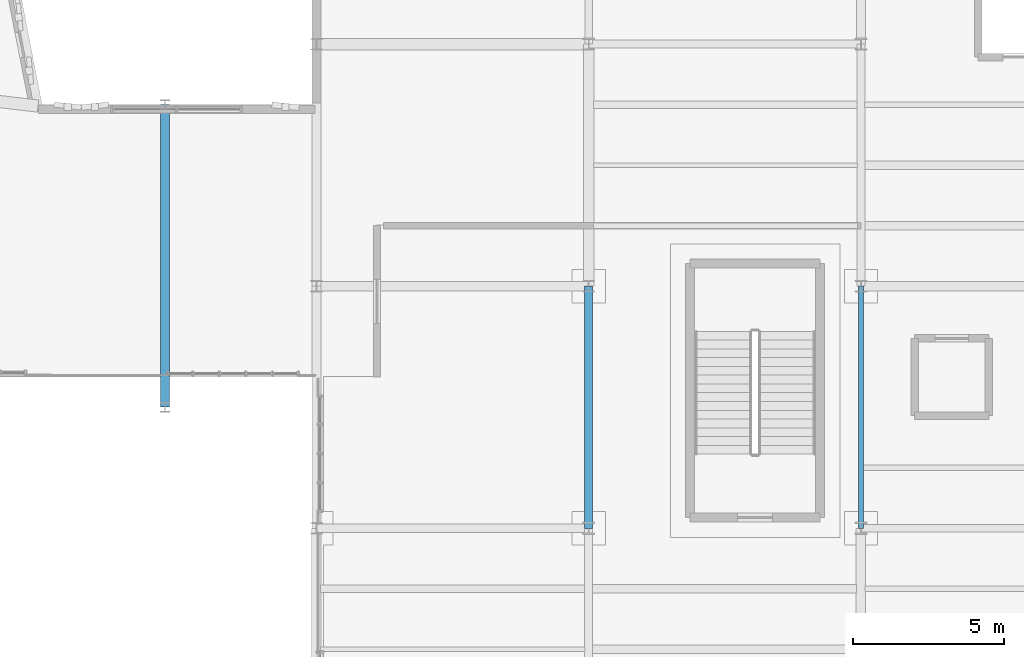
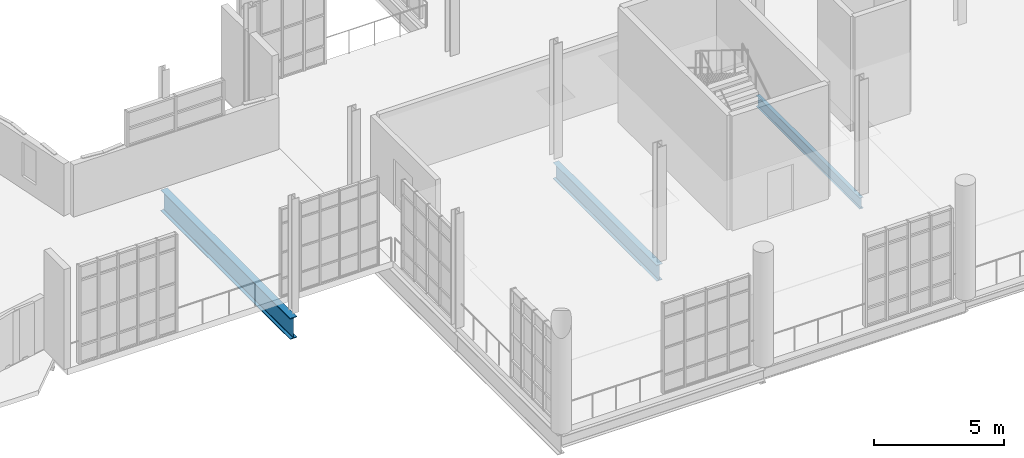
# One storey, part 35 of 142: 3 beams.
"""IFC4 building model written with IfcOpenShell, lengths in metres."""

from ifc_helpers import new_model, si_unit, direction, frame, origin, origin_2d, place, context, subcontext, project, spatial, i_section, extrude, material, material_profile, profile_set, type_object, element, save


model = new_model("IFC4")

# Units and contexts
model_context = context("Model", 3, precision=1e-05, world=origin(), true_north=direction((0.0, 1.0)))
body_context = subcontext(model_context, "Body", "Model", "MODEL_VIEW")
ifc_project = project(units=[si_unit("LENGTHUNIT", "METRE"), si_unit("AREAUNIT", "SQUARE_METRE"), si_unit("VOLUMEUNIT", "CUBIC_METRE"), si_unit("PLANEANGLEUNIT", "RADIAN"), si_unit("MASSUNIT", "GRAM", prefix="KILO"), si_unit("THERMODYNAMICTEMPERATUREUNIT", "KELVIN"), si_unit("POWERUNIT", "WATT")], contexts=[model_context])

# Site, building, storey
site_placement = place(None, origin())
site = spatial("IfcSite", under=ifc_project, at=site_placement, CompositionType="ELEMENT")
building_placement = place(site_placement, origin())
building = spatial("IfcBuilding", under=site, at=building_placement, Name="Zelmaris Science Centre", CompositionType="ELEMENT")
storey_placement = place(building_placement, frame((0.0, 0.0, 5.39990234375)))
storey = spatial("IfcBuildingStorey", under=building, at=storey_placement, Name="L01", CompositionType="ELEMENT", Elevation=5.39990234375)

# Beams
ifc_material = material(Name="Steel ASTM A992 Grade 50", Category="steel")
ifc_material_profile_1 = material_profile(ifc_material, i_section(OverallWidth=0.300048828125, OverallDepth=0.990966796875, WebThickness=0.0166015625, FlangeThickness=0.030517578125, FilletRadius=0.02490234375, at=origin_2d()), Name="W40X183")
ifc_profile_set_1 = profile_set([ifc_material_profile_1], Name="Steel ASTM A992 Grade 50")
beam_type_1 = type_object("IfcBeamType", Name="Beam G-24 W40X183", PredefinedType="BEAM", material=ifc_profile_set_1)
beam_1_placement = place(storey_placement, frame((103.0, 20.0, -0.79541015625), z_axis=(0.0, 1.0, 0.0), x_axis=(-1.0, 0.0, 0.0)))
element("IfcBeam", 1, at=beam_1_placement, inside=storey, type_object=beam_type_1, Name="L01 North-south girder 292", PredefinedType="BEAM", context=body_context, shape_type="SweptSolid", body=[
    extrude(i_section(OverallWidth=0.300048828125, OverallDepth=0.990966796875, WebThickness=0.0166015625, FlangeThickness=0.030517578125, FilletRadius=0.02490234375, at=origin_2d()), origin(), (0.0, 0.0, 1.0), 10.0),
])
ifc_material_profile_2 = material_profile(ifc_material, i_section(OverallWidth=0.26708984375, OverallDepth=0.75390625, WebThickness=0.01318359375, FlangeThickness=0.01708984375, FilletRadius=0.01904296875, at=origin_2d()), Name="W30X99")
ifc_profile_set_2 = profile_set([ifc_material_profile_2], Name="Steel ASTM A992 Grade 50")
beam_type_2 = type_object("IfcBeamType", Name="Beam G-34 W30X99", PredefinedType="BEAM", material=ifc_profile_set_2)
beam_2_placement = place(storey_placement, frame((117.0, 16.0, -0.656982421875), z_axis=(0.0, 1.0, 0.0), x_axis=(-1.0, 0.0, 0.0)))
element("IfcBeam", 2, at=beam_2_placement, inside=storey, type_object=beam_type_2, Name="L01 North-south girder 302", PredefinedType="BEAM", context=body_context, shape_type="SweptSolid", body=[
    extrude(i_section(OverallWidth=0.26708984375, OverallDepth=0.75390625, WebThickness=0.01318359375, FlangeThickness=0.01708984375, FilletRadius=0.01904296875, at=origin_2d()), origin(), (0.0, 0.0, 1.0), 8.0),
])
ifc_material_profile_3 = material_profile(ifc_material, i_section(OverallWidth=0.1650390625, OverallDepth=0.52587890625, WebThickness=0.0087890625, FlangeThickness=0.011474609375, FilletRadius=0.013916015625, at=origin_2d()), Name="W21X44")
ifc_profile_set_3 = profile_set([ifc_material_profile_3], Name="Steel ASTM A992 Grade 50")
beam_type_3 = type_object("IfcBeamType", Name="Beam G-40 W21X44", PredefinedType="BEAM", material=ifc_profile_set_3)
beam_3_placement = place(storey_placement, frame((126.0, 16.0, -0.54296875), z_axis=(0.0, 1.0, 0.0), x_axis=(-1.0, 0.0, 0.0)))
element("IfcBeam", 3, at=beam_3_placement, inside=storey, type_object=beam_type_3, Name="L01 North-south girder 308", PredefinedType="BEAM", context=body_context, shape_type="SweptSolid", body=[
    extrude(i_section(OverallWidth=0.1650390625, OverallDepth=0.52587890625, WebThickness=0.0087890625, FlangeThickness=0.011474609375, FilletRadius=0.013916015625, at=origin_2d()), origin(), (0.0, 0.0, 1.0), 8.0),
])

save(model, "model.ifc")
